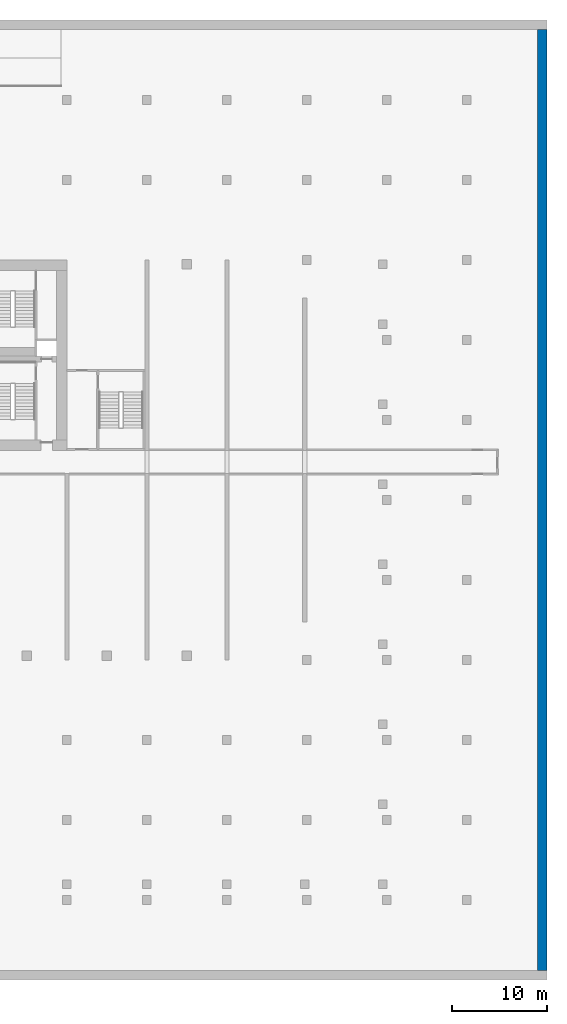
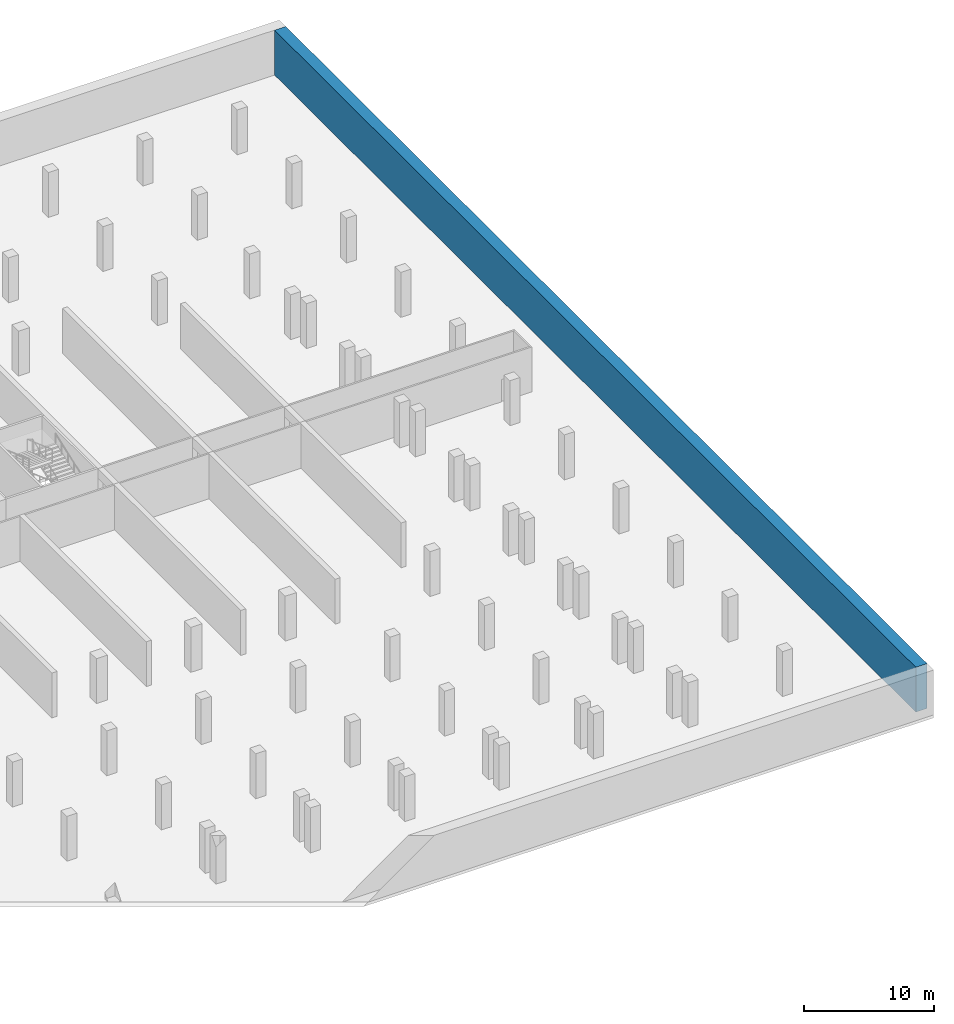
# One storey, part 10 of 13: 1 wall.
"""IFC4 building model written with IfcOpenShell, lengths in metres."""

from ifc_helpers import new_model, si_unit, direction, frame, frame_2d, origin, place, context, subcontext, project, spatial, rectangle, extrude, source, transform, mapped, material, layer, layer_set, type_object, element, save


model = new_model("IFC4")

# Units and contexts
model_context = context("Model", 3, precision=1e-05, world=origin(), true_north=direction((0.0, 1.0)))
body_context = subcontext(model_context, "Body", "Model", "MODEL_VIEW")
ifc_project = project(units=[si_unit("LENGTHUNIT", "METRE"), si_unit("AREAUNIT", "SQUARE_METRE"), si_unit("VOLUMEUNIT", "CUBIC_METRE"), si_unit("PLANEANGLEUNIT", "RADIAN"), si_unit("MASSUNIT", "GRAM", prefix="KILO")], contexts=[model_context])

# Site, building, storey
site_placement = place(None, origin())
site = spatial("IfcSite", under=ifc_project, at=site_placement, CompositionType="ELEMENT")
building_placement = place(site_placement, origin())
building = spatial("IfcBuilding", under=site, at=building_placement, Name="Vanashikhar Sky Hotel", CompositionType="ELEMENT")
storey_placement = place(building_placement, frame((0.0, 0.0, -9.0)))
storey = spatial("IfcBuildingStorey", under=building, at=storey_placement, Name="B2", CompositionType="ELEMENT", Elevation=-9.0)

# Wall
ifc_material = material(Name="Concrete M50", Category="concrete")
ifc_layer = layer(ifc_material, 1.0)
ifc_layer_set = layer_set([ifc_layer], Name="RC retaining wall 1000 Concrete M50")
wall_type = type_object("IfcWallType", Name="RC retaining wall 1000 Concrete M50", PredefinedType="SHEAR", material=ifc_layer_set)
shared_shape = source(origin(), body_context, "Body", "SweptSolid", [
    extrude(rectangle(XDim=98.800048828125, YDim=1.0, at=frame_2d((49.39990234375, 0.0))), origin(), (0.0, 0.0, 1.0), 4.219970703125),
])
wall_placement = place(storey_placement, frame((125.5, -32.60009765625, 0.0), z_axis=(0.0, 0.0, 1.0), x_axis=(0.0, 1.0, 0.0)))
element("IfcWall", 1, at=wall_placement, inside=storey, type_object=wall_type, Name="RW-B2-E", PredefinedType="SHEAR", context=body_context, shape_type="MappedRepresentation", body=[
    mapped(shared_shape, transform((0.0, 0.0, 0.0), scale=1.0)),
])

save(model, "model.ifc")
